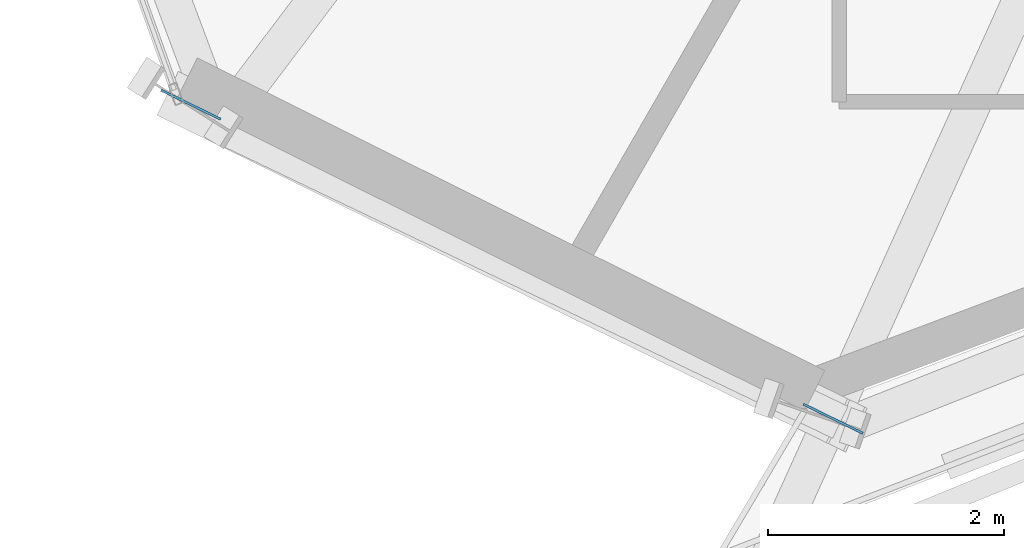
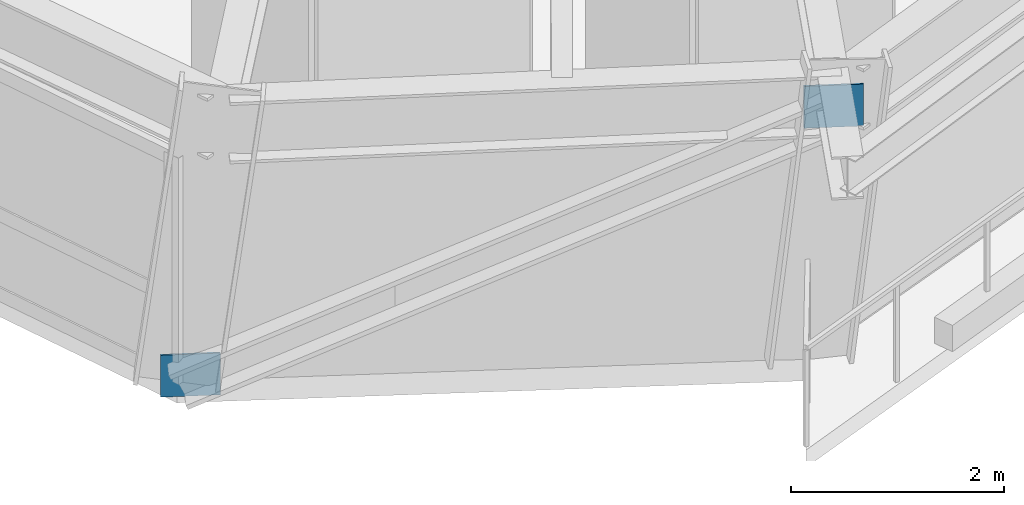
# One storey, part 14 of 24: 2 plates.
"""IFC4 building model written with IfcOpenShell, lengths in metres."""

from ifc_helpers import new_model, si_unit, direction, frame, origin, origin_2d, place, context, subcontext, project, spatial, rectangle, extrude, source, transform, mapped, material, type_object, element, save


model = new_model("IFC4")

# Units and contexts
model_context = context("Model", 3, precision=1e-05, world=origin(), true_north=direction((0.0, 1.0)))
body_context = subcontext(model_context, "Body", "Model", "MODEL_VIEW")
ifc_project = project(units=[si_unit("LENGTHUNIT", "METRE"), si_unit("AREAUNIT", "SQUARE_METRE"), si_unit("VOLUMEUNIT", "CUBIC_METRE"), si_unit("PLANEANGLEUNIT", "RADIAN"), si_unit("MASSUNIT", "GRAM", prefix="KILO")], contexts=[model_context])

# Site, building, storey
site_placement = place(None, origin())
site = spatial("IfcSite", under=ifc_project, at=site_placement, CompositionType="ELEMENT")
building_placement = place(site_placement, origin())
building = spatial("IfcBuilding", under=site, at=building_placement, Name="Olszyna Solenne Hotel", CompositionType="ELEMENT")
storey_placement = place(building_placement, frame((0.0, 0.0, 64.800048828125)))
storey = spatial("IfcBuildingStorey", under=building, at=storey_placement, Name="L16", CompositionType="ELEMENT", Elevation=64.800048828125)

# Plates
ifc_material = material(Name="Steel S355J2", Category="steel")
plate_type = type_object("IfcPlateType", Name="GP-ND2", PredefinedType="USERDEFINED", material=ifc_material)
shared_shape = source(origin(), body_context, "Body", "SweptSolid", [
    extrude(rectangle(XDim=0.56005859375, YDim=0.02001953125, at=origin_2d()), origin(), (0.0, 0.0, 1.0), 0.47998046875),
])
for number, where, z_axis, x_axis, name in (
    (1, (22.327880859375, 6.35498046875, -0.17138671875), (0.0, 0.0, 1.0), (0.898334492373, -0.439312121178, 0.0), "Brace end connection gusset plate GP-ND2 EP-BR-L16-3-1"),
    (2, (27.76025390625, 3.698486328125, 2.616455078125), (0.0, 0.0, 1.0), (0.898334492373, -0.439312121178, 0.0), "Brace end connection gusset plate GP-ND2 EP-BR-L16-3-2"),
):
    element("IfcPlate", number, at=place(storey_placement, frame(where, z_axis=z_axis, x_axis=x_axis)), inside=storey, type_object=plate_type, Name=name, ObjectType="GUSSET_PLATE", PredefinedType="USERDEFINED", context=body_context, shape_type="MappedRepresentation", body=[
        mapped(shared_shape, transform((0.0, 0.0, 0.0), x_axis=(1.0, 0.0, 0.0), y_axis=(0.0, 1.0, 0.0), z_axis=(0.0, 0.0, 1.0), scale=1.0)),
    ])

save(model, "model.ifc")
